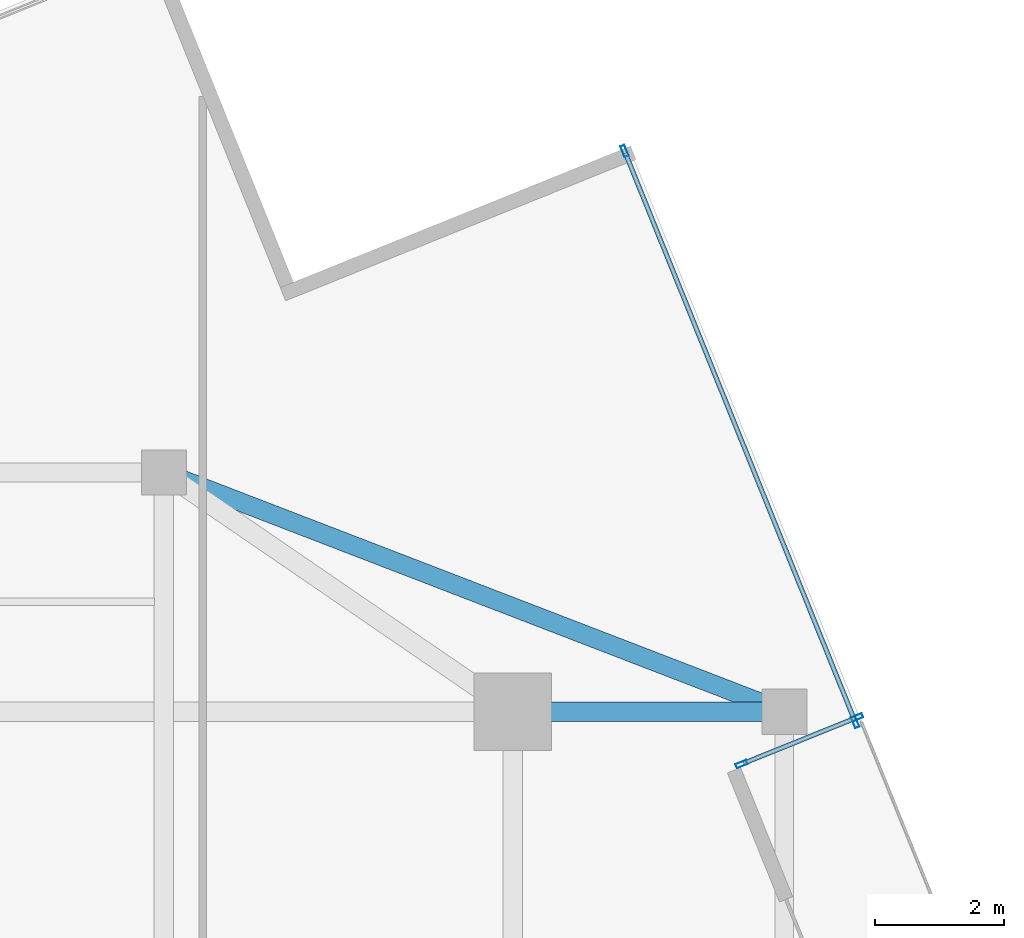
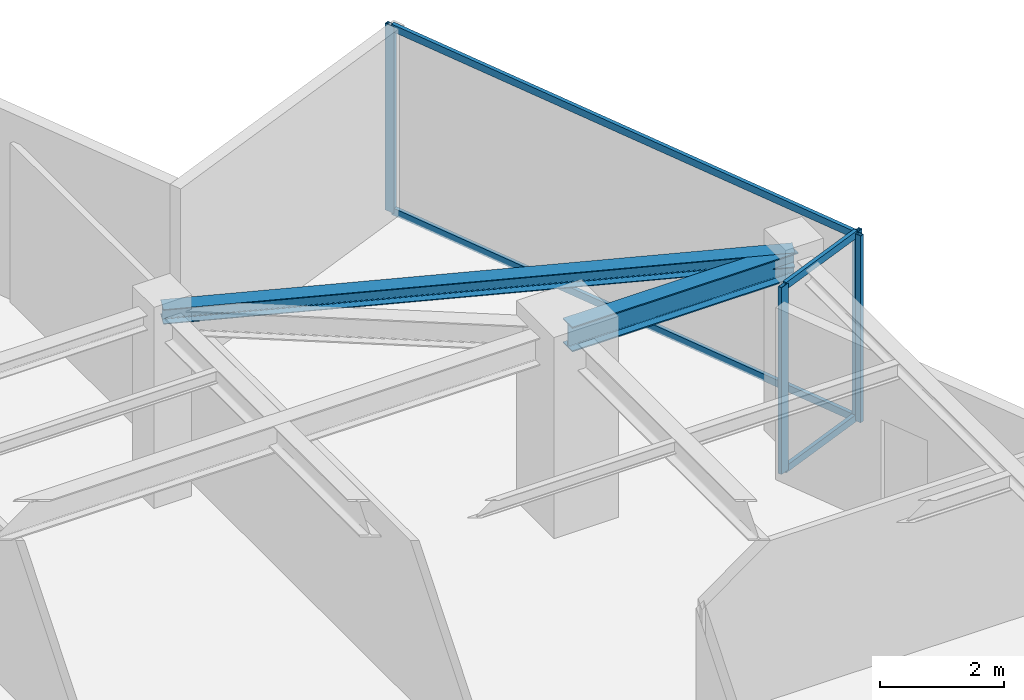
# One storey, part 16 of 21: 8 members, 2 beams, 2 elements without a shape of their own.
"""IFC4 building model written with IfcOpenShell, lengths in metres."""

from ifc_helpers import new_model, si_unit, direction, frame, origin, origin_2d, place, context, subcontext, project, spatial, hollow_rectangle, i_section, extrude, source, transform, mapped, material, material_profile, profile_set, type_object, type_shapes, element, aggregate, save


model = new_model("IFC4")

# Units and contexts
model_context = context("Model", 3, precision=1e-05, world=origin(), true_north=direction((0.0, 1.0)))
body_context = subcontext(model_context, "Body", "Model", "MODEL_VIEW")
ifc_project = project(units=[si_unit("LENGTHUNIT", "METRE"), si_unit("AREAUNIT", "SQUARE_METRE"), si_unit("VOLUMEUNIT", "CUBIC_METRE"), si_unit("PLANEANGLEUNIT", "RADIAN"), si_unit("MASSUNIT", "GRAM", prefix="KILO")], contexts=[model_context])

# Site, building, storey
site_placement = place(None, origin())
site = spatial("IfcSite", under=ifc_project, at=site_placement, CompositionType="ELEMENT")
building_placement = place(site_placement, origin())
building = spatial("IfcBuilding", under=site, at=building_placement, Name="Krantzveldt Concourse Tower", CompositionType="ELEMENT")
storey_placement = place(building_placement, frame((0.0, 0.0, 327.699951171875)))
storey = spatial("IfcBuildingStorey", under=building, at=storey_placement, Name="L80", CompositionType="ELEMENT", Elevation=327.699951171875)

# Beams
ifc_material_1 = material(Name="Steel S355JR", Category="steel")
ifc_material_profile_1 = material_profile(ifc_material_1, i_section(OverallWidth=0.300048828125, OverallDepth=0.489990234375, WebThickness=0.011962890625, FlangeThickness=0.02294921875, FilletRadius=0.027099609375, at=origin_2d()), Name="Steel S355JR", Category="steel")
ifc_profile_set_1 = profile_set([ifc_material_profile_1], Name="Steel S355JR - HEA 500")
beam_type_1 = type_object("IfcBeamType", Name="BM-B-HEA500", PredefinedType="BEAM", material=ifc_profile_set_1)
shared_shape_1 = source(origin(), body_context, "Body", "SweptSolid", [
    extrude(i_section(OverallWidth=0.300048828125, OverallDepth=0.489990234375, WebThickness=0.011962890625, FlangeThickness=0.02294921875, FilletRadius=0.027099609375, at=origin_2d()), origin(), (0.0, 0.0, 1.0), 4.199951171875),
])
type_shapes(beam_type_1, [shared_shape_1])
beam_1_placement = place(storey_placement, frame((46.800048828125, 37.5, 3.425048828125), z_axis=(1.0, 0.0, 0.0), x_axis=(0.0, 1.0, 0.0)))
element("IfcBeam", 1, at=beam_1_placement, inside=storey, type_object=beam_type_1, Name="L80 Tower Girder BR-RR3", PredefinedType="BEAM", context=body_context, shape_type="MappedRepresentation", body=[
    mapped(shared_shape_1, transform((0.0, 0.0, 0.0), x_axis=(1.0, 0.0, 0.0), y_axis=(0.0, 1.0, 0.0), z_axis=(0.0, 0.0, 1.0), scale=1.0)),
])
ifc_material_profile_2 = material_profile(ifc_material_1, i_section(OverallWidth=0.2900390625, OverallDepth=0.2900390625, WebThickness=0.008544921875, FlangeThickness=0.013916015625, FilletRadius=0.027099609375, at=origin_2d()), Name="Steel S355JR", Category="steel")
ifc_profile_set_2 = profile_set([ifc_material_profile_2], Name="Steel S355JR - HEA 300")
beam_type_2 = type_object("IfcBeamType", Name="BM-SP-HEA300", PredefinedType="SPANDREL", material=ifc_profile_set_2)
shared_shape_2 = source(origin(), body_context, "Body", "SweptSolid", [
    extrude(i_section(OverallWidth=0.2900390625, OverallDepth=0.2900390625, WebThickness=0.008544921875, FlangeThickness=0.013916015625, FilletRadius=0.027099609375, at=origin_2d()), origin(), (0.0, 0.0, 1.0), 10.288330078125),
])
type_shapes(beam_type_2, [shared_shape_2])
beam_2_placement = place(storey_placement, frame((41.39990234375, 41.199951171875, 3.525146484375), z_axis=(0.933097690408, -0.359622997257, 0.0), x_axis=(0.359622997257, 0.933097690408, 0.0)))
element("IfcBeam", 2, at=beam_2_placement, inside=storey, type_object=beam_type_2, Name="L80 Tower Girder SP-R05", PredefinedType="SPANDREL", context=body_context, shape_type="MappedRepresentation", body=[
    mapped(shared_shape_2, transform((0.0, 0.0, 0.0), x_axis=(1.0, 0.0, 0.0), y_axis=(0.0, 1.0, 0.0), z_axis=(0.0, 0.0, 1.0), scale=1.0)),
])

# Curtain wall, members
ifc_material_2 = material(Name="Anodised aluminium 6063-T6", Category="aluminium")
curtain_wall_type_1 = type_object("IfcCurtainWallType", Name="CW6", PredefinedType="USERDEFINED", material=ifc_material_2)
curtain_wall_1_placement = place(storey_placement, origin())
curtain_wall_1 = element("IfcCurtainWall", 3, at=curtain_wall_1_placement, inside=storey, type_object=curtain_wall_type_1, Name="CW-L80-TR13", ObjectType="UNITISED CURTAIN WALL", PredefinedType="USERDEFINED")
ifc_material_profile_3 = material_profile(ifc_material_2, hollow_rectangle(XDim=0.070068359375, YDim=0.179931640625, WallThickness=0.0048828125, at=origin_2d()), Name="Anodised aluminium 6063-T6", Category="aluminium")
ifc_profile_set_3 = profile_set([ifc_material_profile_3], Name="Anodised aluminium 6063-T6 - ALU-MULL 180x70x5")
member_type_1 = type_object("IfcMemberType", Name="CW-MUL-180", PredefinedType="MULLION", material=ifc_profile_set_3)
shared_shape_3 = source(origin(), body_context, "Body", "SweptSolid", [
    extrude(hollow_rectangle(XDim=0.070068359375, YDim=0.179931640625, WallThickness=0.0048828125, at=origin_2d()), origin(), (0.0, 0.0, 1.0), 3.670166015625),
])
type_shapes(member_type_1, [shared_shape_3])
member_1_placement = place(storey_placement, frame((50.33740234375, 36.688232421875, 0.0), z_axis=(0.0, 0.0, 1.0), x_axis=(-0.374604825762, 0.927184568743, 0.0)))
member_1 = element("IfcMember", 4, at=member_1_placement, type_object=member_type_1, Name="CW-TERR mullion 1", PredefinedType="MULLION", context=body_context, shape_type="MappedRepresentation", body=[
    mapped(shared_shape_3, transform((0.0, 0.0, 0.0), x_axis=(1.0, 0.0, 0.0), y_axis=(0.0, 1.0, 0.0), z_axis=(0.0, 0.0, 1.0), scale=1.0)),
])
member_2_placement = place(storey_placement, frame((52.126708984375, 37.4111328125, 0.0), z_axis=(0.0, 0.0, 1.0), x_axis=(-0.374604825762, 0.927184568743, 0.0)))
member_2 = element("IfcMember", 5, at=member_2_placement, type_object=member_type_1, Name="CW-TERR mullion 2", PredefinedType="MULLION", context=body_context, shape_type="MappedRepresentation", body=[
    mapped(shared_shape_3, transform((0.0, 0.0, 0.0), x_axis=(1.0, 0.0, 0.0), y_axis=(0.0, 1.0, 0.0), z_axis=(0.0, 0.0, 1.0), scale=1.0)),
])

curtain_wall_type_2 = type_object("IfcCurtainWallType", Name="CW4", PredefinedType="USERDEFINED", material=ifc_material_2)
curtain_wall_2_placement = place(storey_placement, origin())
curtain_wall_2 = element("IfcCurtainWall", 6, at=curtain_wall_2_placement, inside=storey, type_object=curtain_wall_type_2, Name="CW-L80-F14", ObjectType="UNITISED CURTAIN WALL", PredefinedType="USERDEFINED")
member_3_placement = place(storey_placement, frame((52.096435546875, 37.339599609375, 0.0), z_axis=(0.0, 0.0, 1.0), x_axis=(-0.927183685079, -0.374607012913, 0.0)))
member_3 = element("IfcMember", 7, at=member_3_placement, type_object=member_type_1, Name="CW-Z56 mullion 1", PredefinedType="MULLION", context=body_context, shape_type="MappedRepresentation", body=[
    mapped(shared_shape_3, transform((0.0, 0.0, 0.0), x_axis=(1.0, 0.0, 0.0), y_axis=(0.0, 1.0, 0.0), z_axis=(0.0, 0.0, 1.0), scale=1.0)),
])
member_4_placement = place(storey_placement, frame((48.5263671875, 46.175537109375, 0.0), z_axis=(0.0, 0.0, 1.0), x_axis=(-0.927183685079, -0.374607012913, 0.0)))
member_4 = element("IfcMember", 8, at=member_4_placement, type_object=member_type_1, Name="CW-Z56 mullion 2", PredefinedType="MULLION", context=body_context, shape_type="MappedRepresentation", body=[
    mapped(shared_shape_3, transform((0.0, 0.0, 0.0), x_axis=(1.0, 0.0, 0.0), y_axis=(0.0, 1.0, 0.0), z_axis=(0.0, 0.0, 1.0), scale=1.0)),
])

# Member
ifc_material_profile_4 = material_profile(ifc_material_2, hollow_rectangle(XDim=0.070068359375, YDim=0.139892578125, WallThickness=0.0048828125, at=origin_2d()), Name="Anodised aluminium 6063-T6", Category="aluminium")
ifc_profile_set_4 = profile_set([ifc_material_profile_4], Name="Anodised aluminium 6063-T6 - ALU-TRAN 140x70x5")
member_type_2 = type_object("IfcMemberType", Name="CW-TRN-150", PredefinedType="USERDEFINED", material=ifc_profile_set_4)
shared_shape_4 = source(origin(), body_context, "Body", "SweptSolid", [
    extrude(hollow_rectangle(XDim=0.070068359375, YDim=0.139892578125, WallThickness=0.0048828125, at=origin_2d()), origin(), (0.0, 0.0, 1.0), 1.860107421875),
])
member_5_placement = place(storey_placement, frame((50.369873046875, 36.701171875, 0.03515625), z_axis=(0.927185735513, 0.374601937876, 0.0), x_axis=(-0.374601937876, 0.927185735513, 0.0)))
member_5 = element("IfcMember", 9, at=member_5_placement, type_object=member_type_2, Name="CW-TERR transom 1.1", ObjectType="TRANSOM", PredefinedType="USERDEFINED", context=body_context, shape_type="MappedRepresentation", body=[
    mapped(shared_shape_4, transform((0.0, 0.0, 0.0), x_axis=(1.0, 0.0, 0.0), y_axis=(0.0, 1.0, 0.0), z_axis=(0.0, 0.0, 1.0), scale=1.0)),
])

member_6_placement = place(storey_placement, frame((50.369873046875, 36.701171875, 3.635009765625), z_axis=(0.927185735513, 0.374601937876, 0.0), x_axis=(-0.374601937876, 0.927185735513, 0.0)))
member_6 = element("IfcMember", 10, at=member_6_placement, type_object=member_type_2, Name="CW-TERR transom 1.2", ObjectType="TRANSOM", PredefinedType="USERDEFINED", context=body_context, shape_type="MappedRepresentation", body=[
    mapped(shared_shape_4, transform((0.0, 0.0, 0.0), x_axis=(1.0, 0.0, 0.0), y_axis=(0.0, 1.0, 0.0), z_axis=(0.0, 0.0, 1.0), scale=1.0)),
])

aggregate(curtain_wall_1, [member_1, member_2, member_5, member_6])

shared_shape_5 = source(origin(), body_context, "Body", "SweptSolid", [
    extrude(hollow_rectangle(XDim=0.070068359375, YDim=0.139892578125, WallThickness=0.0048828125, at=origin_2d()), origin(), (0.0, 0.0, 1.0), 9.459716796875),
])
type_shapes(member_type_2, [shared_shape_4, shared_shape_5])
member_7_placement = place(storey_placement, frame((52.083251953125, 37.3720703125, 0.03515625), z_axis=(-0.374605568635, 0.927184268604, 0.0), x_axis=(-0.927184268604, -0.374605568635, 0.0)))
member_7 = element("IfcMember", 11, at=member_7_placement, type_object=member_type_2, Name="CW-Z56 transom 1.1", ObjectType="TRANSOM", PredefinedType="USERDEFINED", context=body_context, shape_type="MappedRepresentation", body=[
    mapped(shared_shape_5, transform((0.0, 0.0, 0.0), x_axis=(1.0, 0.0, 0.0), y_axis=(0.0, 1.0, 0.0), z_axis=(0.0, 0.0, 1.0), scale=1.0)),
])

member_8_placement = place(storey_placement, frame((52.083251953125, 37.3720703125, 3.635009765625), z_axis=(-0.374605568635, 0.927184268604, 0.0), x_axis=(-0.927184268604, -0.374605568635, 0.0)))
member_8 = element("IfcMember", 12, at=member_8_placement, type_object=member_type_2, Name="CW-Z56 transom 1.2", ObjectType="TRANSOM", PredefinedType="USERDEFINED", context=body_context, shape_type="MappedRepresentation", body=[
    mapped(shared_shape_5, transform((0.0, 0.0, 0.0), x_axis=(1.0, 0.0, 0.0), y_axis=(0.0, 1.0, 0.0), z_axis=(0.0, 0.0, 1.0), scale=1.0)),
])

aggregate(curtain_wall_2, [member_3, member_4, member_7, member_8])

save(model, "model.ifc")
